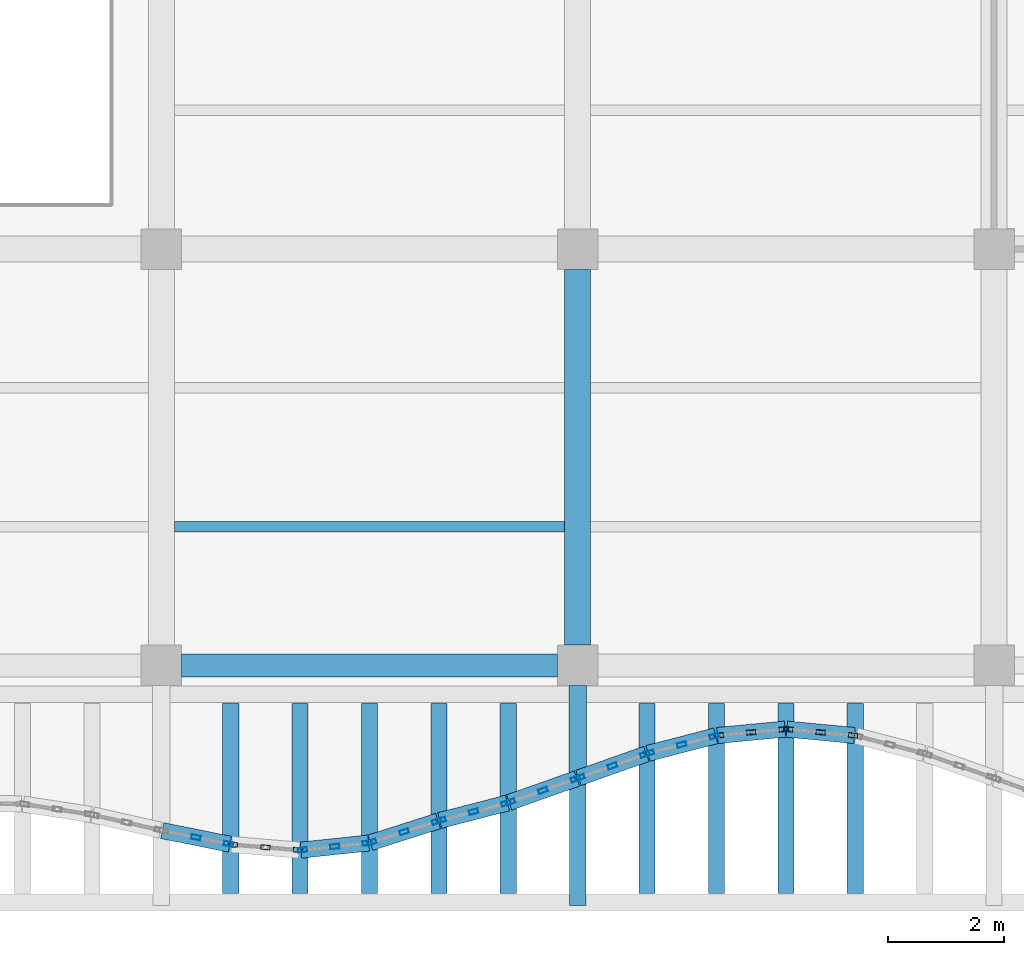
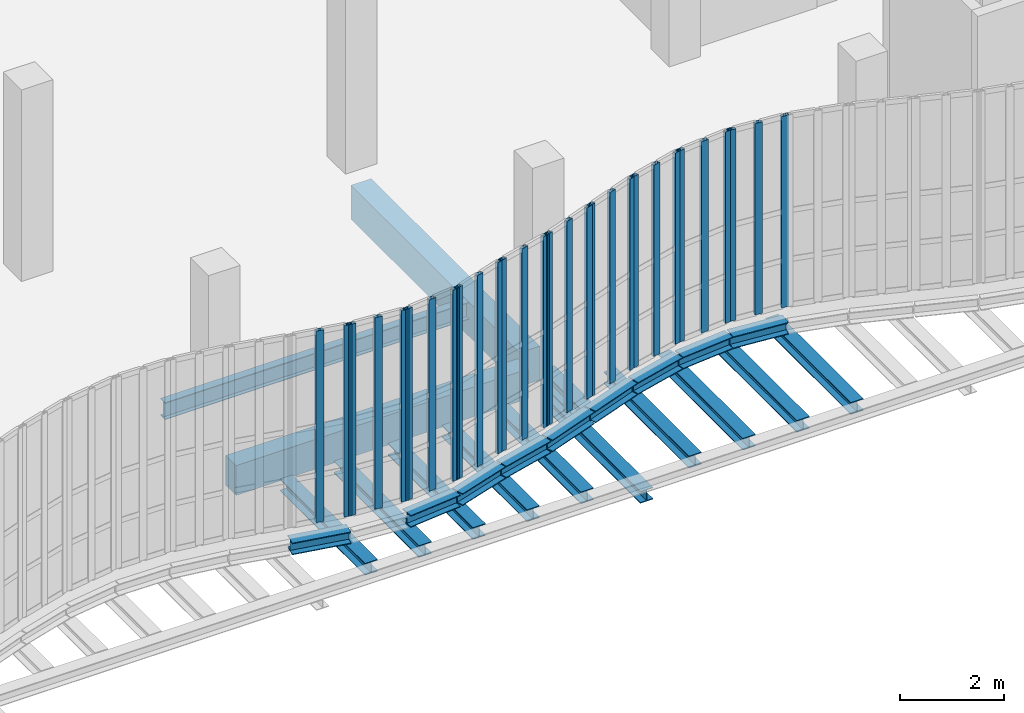
# One storey, part 33 of 108: 29 members, 23 beams, 10 elements without a shape of their own.
"""IFC4 building model written with IfcOpenShell, lengths in metres."""

from ifc_helpers import new_model, si_unit, direction, frame, origin, origin_2d, place, context, subcontext, project, spatial, rectangle, hollow_rectangle, i_section, extrude, material, layer, layer_set, material_profile, profile_set, type_object, element, aggregate, save


model = new_model("IFC4")

# Units and contexts
model_context = context("Model", 3, precision=1e-05, world=origin(), true_north=direction((0.0, 1.0)))
body_context = subcontext(model_context, "Body", "Model", "MODEL_VIEW")
ifc_project = project(units=[si_unit("LENGTHUNIT", "METRE"), si_unit("AREAUNIT", "SQUARE_METRE"), si_unit("VOLUMEUNIT", "CUBIC_METRE"), si_unit("PLANEANGLEUNIT", "RADIAN"), si_unit("MASSUNIT", "GRAM", prefix="KILO"), si_unit("THERMODYNAMICTEMPERATUREUNIT", "KELVIN"), si_unit("POWERUNIT", "WATT")], contexts=[model_context])

# Site, building, storey
site_placement = place(None, origin())
site = spatial("IfcSite", under=ifc_project, at=site_placement, CompositionType="ELEMENT")
building_placement = place(site_placement, origin())
building = spatial("IfcBuilding", under=site, at=building_placement, Name="Kaldorven Railside Theatre", CompositionType="ELEMENT")
storey_placement = place(building_placement, frame((0.0, 0.0, 5.39990234375)))
storey = spatial("IfcBuildingStorey", under=building, at=storey_placement, Name="L01", CompositionType="ELEMENT", Elevation=5.39990234375)

# Beams
ifc_material_1 = material(Name="Steel S355", Category="steel")
ifc_material_profile_1 = material_profile(ifc_material_1, i_section(OverallWidth=0.280029296875, OverallDepth=0.280029296875, WebThickness=0.010498046875, FlangeThickness=0.01806640625, at=origin_2d()), Name="HEB 280")
ifc_profile_set_1 = profile_set([ifc_material_profile_1], Name="Steel S355")
beam_type_1 = type_object("IfcBeamType", Name="BM-HEB280", PredefinedType="SPANDREL", material=ifc_profile_set_1)
beam_1_placement = place(storey_placement, frame((94.39990234375, 15.050048828125, -1.0), z_axis=(0.0, 1.0, 0.0), x_axis=(-1.0, 0.0, 0.0)))
element("IfcBeam", 1, at=beam_1_placement, inside=storey, type_object=beam_type_1, Name="L01 Sinusoidal Lower Cantilever Girder FOB-K008", PredefinedType="SPANDREL", context=body_context, shape_type="SweptSolid", body=[
    extrude(i_section(OverallWidth=0.280029296875, OverallDepth=0.280029296875, WebThickness=0.010498046875, FlangeThickness=0.01806640625, at=origin_2d()), origin(), (0.0, 0.0, 1.0), 3.800048828125),
])
beam_2_placement = place(storey_placement, frame((87.214599609375, 16.34423828125, -0.43994140625), z_axis=(0.980145886477, -0.19827768715, 0.0), x_axis=(0.19827768715, 0.980145886477, 0.0)))
element("IfcBeam", 2, at=beam_2_placement, inside=storey, type_object=beam_type_1, Name="L01 Sinusoidal Flute Edge Spandrel FSB-043", PredefinedType="SPANDREL", context=body_context, shape_type="SweptSolid", body=[
    extrude(i_section(OverallWidth=0.280029296875, OverallDepth=0.280029296875, WebThickness=0.010498046875, FlangeThickness=0.01806640625, at=origin_2d()), origin(), (0.0, 0.0, 1.0), 1.1943359375),
])
beam_3_placement = place(storey_placement, frame((88.39990234375, 15.260009765625, -0.719970703125), z_axis=(0.0, 1.0, 0.0), x_axis=(-1.0, 0.0, 0.0)))
element("IfcBeam", 3, at=beam_3_placement, inside=storey, type_object=beam_type_1, Name="L01 Sinusoidal Diaphragm Rib Outrigger FOB-M044", PredefinedType="SPANDREL", context=body_context, shape_type="SweptSolid", body=[
    extrude(i_section(OverallWidth=0.280029296875, OverallDepth=0.280029296875, WebThickness=0.010498046875, FlangeThickness=0.01806640625, at=origin_2d()), origin(), (0.0, 0.0, 1.0), 3.280029296875),
])
beam_4_placement = place(storey_placement, frame((89.614990234375, 16.005859375, -0.43994140625), z_axis=(0.994538375892, 0.104371542473, 0.0), x_axis=(-0.104371542473, 0.994538375892, 0.0)))
element("IfcBeam", 4, at=beam_4_placement, inside=storey, type_object=beam_type_1, Name="L01 Sinusoidal Flute Edge Spandrel FSB-045", PredefinedType="SPANDREL", context=body_context, shape_type="SweptSolid", body=[
    extrude(i_section(OverallWidth=0.280029296875, OverallDepth=0.280029296875, WebThickness=0.010498046875, FlangeThickness=0.01806640625, at=origin_2d()), origin(), (0.0, 0.0, 1.0), 1.176513671875),
])
beam_5_placement = place(storey_placement, frame((89.60009765625, 15.260009765625, -0.719970703125), z_axis=(0.0, 1.0, 0.0), x_axis=(-1.0, 0.0, 0.0)))
element("IfcBeam", 5, at=beam_5_placement, inside=storey, type_object=beam_type_1, Name="L01 Sinusoidal Diaphragm Rib Outrigger FOB-M045", PredefinedType="SPANDREL", context=body_context, shape_type="SweptSolid", body=[
    extrude(i_section(OverallWidth=0.280029296875, OverallDepth=0.280029296875, WebThickness=0.010498046875, FlangeThickness=0.01806640625, at=origin_2d()), origin(), (0.0, 0.0, 1.0), 3.280029296875),
])
beam_6_placement = place(storey_placement, frame((90.814208984375, 16.135009765625, -0.43994140625), z_axis=(0.952560057376, 0.304350681108, 0.0), x_axis=(-0.304350681108, 0.952560057376, 0.0)))
element("IfcBeam", 6, at=beam_6_placement, inside=storey, type_object=beam_type_1, Name="L01 Sinusoidal Flute Edge Spandrel FSB-046", PredefinedType="SPANDREL", context=body_context, shape_type="SweptSolid", body=[
    extrude(i_section(OverallWidth=0.280029296875, OverallDepth=0.280029296875, WebThickness=0.010498046875, FlangeThickness=0.01806640625, at=origin_2d()), origin(), (0.0, 0.0, 1.0), 1.229736328125),
])
beam_7_placement = place(storey_placement, frame((90.800048828125, 15.260009765625, -0.719970703125), z_axis=(0.0, 1.0, 0.0), x_axis=(-1.0, 0.0, 0.0)))
element("IfcBeam", 7, at=beam_7_placement, inside=storey, type_object=beam_type_1, Name="L01 Sinusoidal Diaphragm Rib Outrigger FOB-M046", PredefinedType="SPANDREL", context=body_context, shape_type="SweptSolid", body=[
    extrude(i_section(OverallWidth=0.280029296875, OverallDepth=0.280029296875, WebThickness=0.010498046875, FlangeThickness=0.01806640625, at=origin_2d()), origin(), (0.0, 0.0, 1.0), 3.280029296875),
])
beam_8_placement = place(storey_placement, frame((92.014404296875, 16.517578125, -0.43994140625), z_axis=(0.967980555895, 0.25102518481, 0.0), x_axis=(-0.25102518481, 0.967980555895, 0.0)))
element("IfcBeam", 8, at=beam_8_placement, inside=storey, type_object=beam_type_1, Name="L01 Sinusoidal Flute Edge Spandrel FSB-047", PredefinedType="SPANDREL", context=body_context, shape_type="SweptSolid", body=[
    extrude(i_section(OverallWidth=0.280029296875, OverallDepth=0.280029296875, WebThickness=0.010498046875, FlangeThickness=0.01806640625, at=origin_2d()), origin(), (0.0, 0.0, 1.0), 1.2099609375),
])
beam_9_placement = place(storey_placement, frame((92.0, 15.260009765625, -0.719970703125), z_axis=(0.0, 1.0, 0.0), x_axis=(-1.0, 0.0, 0.0)))
element("IfcBeam", 9, at=beam_9_placement, inside=storey, type_object=beam_type_1, Name="L01 Sinusoidal Diaphragm Rib Outrigger FOB-M047", PredefinedType="SPANDREL", context=body_context, shape_type="SweptSolid", body=[
    extrude(i_section(OverallWidth=0.280029296875, OverallDepth=0.280029296875, WebThickness=0.010498046875, FlangeThickness=0.01806640625, at=origin_2d()), origin(), (0.0, 0.0, 1.0), 3.280029296875),
])
beam_10_placement = place(storey_placement, frame((93.214111328125, 16.830078125, -0.43994140625), z_axis=(0.942627225161, 0.333847142245, 0.0), x_axis=(-0.333847142245, 0.942627225161, 0.0)))
element("IfcBeam", 10, at=beam_10_placement, inside=storey, type_object=beam_type_1, Name="L01 Sinusoidal Flute Edge Spandrel FSB-048", PredefinedType="SPANDREL", context=body_context, shape_type="SweptSolid", body=[
    extrude(i_section(OverallWidth=0.280029296875, OverallDepth=0.280029296875, WebThickness=0.010498046875, FlangeThickness=0.01806640625, at=origin_2d()), origin(), (0.0, 0.0, 1.0), 1.2431640625),
])
beam_11_placement = place(storey_placement, frame((93.199951171875, 15.260009765625, -0.719970703125), z_axis=(0.0, 1.0, 0.0), x_axis=(-1.0, 0.0, 0.0)))
element("IfcBeam", 11, at=beam_11_placement, inside=storey, type_object=beam_type_1, Name="L01 Sinusoidal Diaphragm Rib Outrigger FOB-M048", PredefinedType="SPANDREL", context=body_context, shape_type="SweptSolid", body=[
    extrude(i_section(OverallWidth=0.280029296875, OverallDepth=0.280029296875, WebThickness=0.010498046875, FlangeThickness=0.01806640625, at=origin_2d()), origin(), (0.0, 0.0, 1.0), 3.280029296875),
])
beam_12_placement = place(storey_placement, frame((94.4140625, 17.2548828125, -0.43994140625), z_axis=(0.942627225161, 0.333847142245, 0.0), x_axis=(-0.333847142245, 0.942627225161, 0.0)))
element("IfcBeam", 12, at=beam_12_placement, inside=storey, type_object=beam_type_1, Name="L01 Sinusoidal Flute Edge Spandrel FSB-049", PredefinedType="SPANDREL", context=body_context, shape_type="SweptSolid", body=[
    extrude(i_section(OverallWidth=0.280029296875, OverallDepth=0.280029296875, WebThickness=0.010498046875, FlangeThickness=0.01806640625, at=origin_2d()), origin(), (0.0, 0.0, 1.0), 1.2431640625),
])
beam_13_placement = place(storey_placement, frame((95.614501953125, 17.6787109375, -0.43994140625), z_axis=(0.967967836725, 0.251074226206, 0.0), x_axis=(-0.251074226206, 0.967967836725, 0.0)))
element("IfcBeam", 13, at=beam_13_placement, inside=storey, type_object=beam_type_1, Name="L01 Sinusoidal Flute Edge Spandrel FSB-050", PredefinedType="SPANDREL", context=body_context, shape_type="SweptSolid", body=[
    extrude(i_section(OverallWidth=0.280029296875, OverallDepth=0.280029296875, WebThickness=0.010498046875, FlangeThickness=0.01806640625, at=origin_2d()), origin(), (0.0, 0.0, 1.0), 1.209716796875),
])
beam_14_placement = place(storey_placement, frame((95.60009765625, 15.260009765625, -0.719970703125), z_axis=(0.0, 1.0, 0.0), x_axis=(-1.0, 0.0, 0.0)))
element("IfcBeam", 14, at=beam_14_placement, inside=storey, type_object=beam_type_1, Name="L01 Sinusoidal Diaphragm Rib Outrigger FOB-M050", PredefinedType="SPANDREL", context=body_context, shape_type="SweptSolid", body=[
    extrude(i_section(OverallWidth=0.280029296875, OverallDepth=0.280029296875, WebThickness=0.010498046875, FlangeThickness=0.01806640625, at=origin_2d()), origin(), (0.0, 0.0, 1.0), 3.280029296875),
])
beam_15_placement = place(storey_placement, frame((96.81494140625, 17.987548828125, -0.43994140625), z_axis=(0.99552436473, 0.094505233873, 0.0), x_axis=(-0.094505233873, 0.99552436473, 0.0)))
element("IfcBeam", 15, at=beam_15_placement, inside=storey, type_object=beam_type_1, Name="L01 Sinusoidal Flute Edge Spandrel FSB-051", PredefinedType="SPANDREL", context=body_context, shape_type="SweptSolid", body=[
    extrude(i_section(OverallWidth=0.280029296875, OverallDepth=0.280029296875, WebThickness=0.010498046875, FlangeThickness=0.01806640625, at=origin_2d()), origin(), (0.0, 0.0, 1.0), 1.175537109375),
])
beam_16_placement = place(storey_placement, frame((96.800048828125, 15.260009765625, -0.719970703125), z_axis=(0.0, 1.0, 0.0), x_axis=(-1.0, 0.0, 0.0)))
element("IfcBeam", 16, at=beam_16_placement, inside=storey, type_object=beam_type_1, Name="L01 Sinusoidal Diaphragm Rib Outrigger FOB-M051", PredefinedType="SPANDREL", context=body_context, shape_type="SweptSolid", body=[
    extrude(i_section(OverallWidth=0.280029296875, OverallDepth=0.280029296875, WebThickness=0.010498046875, FlangeThickness=0.01806640625, at=origin_2d()), origin(), (0.0, 0.0, 1.0), 3.280029296875),
])
beam_17_placement = place(storey_placement, frame((98.014892578125, 18.0986328125, -0.43994140625), z_axis=(0.99552436473, -0.094505233873, 0.0), x_axis=(0.094505233873, 0.99552436473, 0.0)))
element("IfcBeam", 17, at=beam_17_placement, inside=storey, type_object=beam_type_1, Name="L01 Sinusoidal Flute Edge Spandrel FSB-052", PredefinedType="SPANDREL", context=body_context, shape_type="SweptSolid", body=[
    extrude(i_section(OverallWidth=0.280029296875, OverallDepth=0.280029296875, WebThickness=0.010498046875, FlangeThickness=0.01806640625, at=origin_2d()), origin(), (0.0, 0.0, 1.0), 1.175537109375),
])
for number, where, z_axis, x_axis, name in (
    (18, (98.0, 15.260009765625, -0.719970703125), (0.0, 1.0, 0.0), (-1.0, 0.0, 0.0), "L01 Sinusoidal Diaphragm Rib Outrigger FOB-M052"),
    (19, (99.199951171875, 15.260009765625, -0.719970703125), (0.0, 1.0, 0.0), (-1.0, 0.0, 0.0), "L01 Sinusoidal Diaphragm Rib Outrigger FOB-M053"),
):
    element("IfcBeam", number, at=place(storey_placement, frame(where, z_axis=z_axis, x_axis=x_axis)), inside=storey, type_object=beam_type_1, Name=name, PredefinedType="SPANDREL", context=body_context, shape_type="SweptSolid", body=[
        extrude(i_section(OverallWidth=0.280029296875, OverallDepth=0.280029296875, WebThickness=0.010498046875, FlangeThickness=0.01806640625, at=origin_2d()), origin(), (0.0, 0.0, 1.0), 3.280029296875),
    ])
ifc_material_profile_2 = material_profile(ifc_material_1, i_section(OverallWidth=0.300048828125, OverallDepth=0.340087890625, WebThickness=0.011962890625, FlangeThickness=0.021484375, at=origin_2d()), Name="HEB 340")
ifc_profile_set_2 = profile_set([ifc_material_profile_2], Name="Steel S355")
beam_type_2 = type_object("IfcBeamType", Name="BM-HEB340", PredefinedType="SPANDREL", material=ifc_profile_set_2)
beam_18_placement = place(storey_placement, frame((94.39990234375, 17.31005859375, -0.469970703125), z_axis=(0.0, 1.0, 0.0), x_axis=(-1.0, 0.0, 0.0)))
element("IfcBeam", 20, at=beam_18_placement, inside=storey, type_object=beam_type_2, Name="L01 Sinusoidal Veil Outrigger FOB-1094", PredefinedType="SPANDREL", context=body_context, shape_type="SweptSolid", body=[
    extrude(i_section(OverallWidth=0.300048828125, OverallDepth=0.340087890625, WebThickness=0.011962890625, FlangeThickness=0.021484375, at=origin_2d()), origin(), (0.0, 0.0, 1.0), 1.5400390625),
])
ifc_material_profile_3 = material_profile(ifc_material_1, i_section(OverallWidth=0.179931640625, OverallDepth=0.39990234375, WebThickness=0.008544921875, FlangeThickness=0.013427734375, at=origin_2d()), Name="IPE 400")
ifc_profile_set_3 = profile_set([ifc_material_profile_3], Name="Steel S355")
beam_type_3 = type_object("IfcBeamType", Name="BM-IPE400", PredefinedType="JOIST", material=ifc_profile_set_3)
beam_19_placement = place(storey_placement, frame((87.425048828125, 21.60009765625, -0.5), z_axis=(1.0, 0.0, 0.0), x_axis=(0.0, 1.0, 0.0)))
element("IfcBeam", 21, at=beam_19_placement, inside=storey, type_object=beam_type_3, Name="L01 Secondary Floor Joist JG-L01-087-0216", PredefinedType="JOIST", context=body_context, shape_type="SweptSolid", body=[
    extrude(i_section(OverallWidth=0.179931640625, OverallDepth=0.39990234375, WebThickness=0.008544921875, FlangeThickness=0.013427734375, at=origin_2d()), origin(), (0.0, 0.0, 1.0), 6.75),
])
ifc_material_2 = material(Name="Concrete C40/50", Category="concrete")
ifc_material_profile_4 = material_profile(ifc_material_2, rectangle(XDim=0.39990234375, YDim=0.699951171875, at=origin_2d()), Name="RC 400x700")
ifc_profile_set_4 = profile_set([ifc_material_profile_4], Name="Concrete C40/50")
beam_type_4 = type_object("IfcBeamType", Name="BM-RC400x700", PredefinedType="BEAM", material=ifc_profile_set_4)
beam_20_placement = place(storey_placement, frame((87.550048828125, 19.199951171875, -0.64990234375), z_axis=(1.0, 0.0, 0.0), x_axis=(0.0, 1.0, 0.0)))
element("IfcBeam", 22, at=beam_20_placement, inside=storey, type_object=beam_type_4, Name="L01 Girder BGX-L01-087-019", PredefinedType="BEAM", context=body_context, shape_type="SweptSolid", body=[
    extrude(rectangle(XDim=0.39990234375, YDim=0.699951171875, at=origin_2d()), origin(), (0.0, 0.0, 1.0), 6.5),
])
ifc_material_profile_5 = material_profile(ifc_material_2, rectangle(XDim=0.449951171875, YDim=0.800048828125, at=origin_2d()), Name="RC 450x800")
ifc_profile_set_5 = profile_set([ifc_material_profile_5], Name="Concrete C40/50")
beam_type_5 = type_object("IfcBeamType", Name="BM-RC450x800", PredefinedType="BEAM", material=ifc_profile_set_5)
beam_21_placement = place(storey_placement, frame((94.39990234375, 19.550048828125, -0.699951171875), z_axis=(0.0, 1.0, 0.0), x_axis=(-1.0, 0.0, 0.0)))
element("IfcBeam", 23, at=beam_21_placement, inside=storey, type_object=beam_type_5, Name="L01 Girder BGY-L01-094-019-72", PredefinedType="BEAM", context=body_context, shape_type="SweptSolid", body=[
    extrude(rectangle(XDim=0.449951171875, YDim=0.800048828125, at=origin_2d()), origin(), (0.0, 0.0, 1.0), 6.5),
])

# Curtain wall, members
ifc_material_3 = material(Name="Low-E laminated solar-control glass", Category="glass")
ifc_layer_1 = layer(ifc_material_3, 0.159912109375, Name="Low-E laminated solar-control glass")
ifc_layer_set_1 = layer_set([ifc_layer_1], Name="Low-E laminated solar-control glass")
curtain_wall_type_1 = type_object("IfcCurtainWallType", Name="CWT-07", PredefinedType="USERDEFINED", material=ifc_layer_set_1)
curtain_wall_1_placement = place(storey_placement, origin())
curtain_wall_1 = element("IfcCurtainWall", 24, at=curtain_wall_1_placement, inside=storey, type_object=curtain_wall_type_1, Name="Sinusoidal Fluted Curtain Wall CW-L01-S43", ObjectType="FLUTED GLAZING", PredefinedType="USERDEFINED")
ifc_material_4 = material(Name="Anodised bronze aluminium", Category="aluminium")
ifc_material_profile_6 = material_profile(ifc_material_4, hollow_rectangle(XDim=0.080078125, YDim=0.159912109375, WallThickness=0.00634765625, at=origin_2d()), Name="RHS 160x80x6.3")
ifc_profile_set_6 = profile_set([ifc_material_profile_6], Name="Anodised bronze aluminium")
member_type = type_object("IfcMemberType", Name="CWM-160", PredefinedType="MULLION", material=ifc_profile_set_6)
member_1_placement = place(storey_placement, frame((87.800048828125, 16.225830078125, 0.0), z_axis=(0.0, 0.0, 1.0), x_axis=(0.198393134453, 0.980122525097, 0.0)))
member_1 = element("IfcMember", 25, at=member_1_placement, type_object=member_type, Name="CW-L01-S43 mullion 2", PredefinedType="MULLION", context=body_context, shape_type="SweptSolid", body=[
    extrude(hollow_rectangle(XDim=0.080078125, YDim=0.159912109375, WallThickness=0.00634765625, at=origin_2d()), origin(), (0.0, 0.0, 1.0), 4.5),
])
member_2_placement = place(storey_placement, frame((88.36083984375, 16.1123046875, 0.0), z_axis=(0.0, 0.0, 1.0), x_axis=(0.198393134453, 0.980122525097, 0.0)))
member_2 = element("IfcMember", 26, at=member_2_placement, type_object=member_type, Name="CW-L01-S43 mullion 3", PredefinedType="MULLION", context=body_context, shape_type="SweptSolid", body=[
    extrude(hollow_rectangle(XDim=0.080078125, YDim=0.159912109375, WallThickness=0.00634765625, at=origin_2d()), origin(), (0.0, 0.0, 1.0), 4.5),
])
aggregate(curtain_wall_1, [member_1, member_2])

ifc_layer_2 = layer(ifc_material_3, 0.159912109375, Name="Low-E laminated solar-control glass")
ifc_layer_set_2 = layer_set([ifc_layer_2], Name="Low-E laminated solar-control glass")
curtain_wall_type_2 = type_object("IfcCurtainWallType", Name="CWT-03", PredefinedType="USERDEFINED", material=ifc_layer_set_2)
curtain_wall_2_placement = place(storey_placement, origin())
curtain_wall_2 = element("IfcCurtainWall", 27, at=curtain_wall_2_placement, inside=storey, type_object=curtain_wall_type_2, Name="Sinusoidal Fluted Curtain Wall CW-L01-S44", ObjectType="FLUTED GLAZING", PredefinedType="USERDEFINED")
member_3_placement = place(storey_placement, frame((88.43994140625, 16.10107421875, 0.0), z_axis=(0.0, 0.0, 1.0), x_axis=(0.08321042194, 0.996531999326, 0.0)))
member_3 = element("IfcMember", 28, at=member_3_placement, type_object=member_type, Name="CW-L01-S44 mullion 1", PredefinedType="MULLION", context=body_context, shape_type="SweptSolid", body=[
    extrude(hollow_rectangle(XDim=0.080078125, YDim=0.159912109375, WallThickness=0.00634765625, at=origin_2d()), origin(), (0.0, 0.0, 1.0), 4.5),
])
member_4_placement = place(storey_placement, frame((89.0, 16.05419921875, 0.0), z_axis=(0.0, 0.0, 1.0), x_axis=(0.08321042194, 0.996531999326, 0.0)))
member_4 = element("IfcMember", 29, at=member_4_placement, type_object=member_type, Name="CW-L01-S44 mullion 2", PredefinedType="MULLION", context=body_context, shape_type="SweptSolid", body=[
    extrude(hollow_rectangle(XDim=0.080078125, YDim=0.159912109375, WallThickness=0.00634765625, at=origin_2d()), origin(), (0.0, 0.0, 1.0), 4.5),
])
member_5_placement = place(storey_placement, frame((89.56005859375, 16.007568359375, 0.0), z_axis=(0.0, 0.0, 1.0), x_axis=(0.08321042194, 0.996531999326, 0.0)))
member_5 = element("IfcMember", 30, at=member_5_placement, type_object=member_type, Name="CW-L01-S44 mullion 3", PredefinedType="MULLION", context=body_context, shape_type="SweptSolid", body=[
    extrude(hollow_rectangle(XDim=0.080078125, YDim=0.159912109375, WallThickness=0.00634765625, at=origin_2d()), origin(), (0.0, 0.0, 1.0), 4.5),
])
aggregate(curtain_wall_2, [member_3, member_4, member_5])

curtain_wall_3_placement = place(storey_placement, origin())
curtain_wall_3 = element("IfcCurtainWall", 31, at=curtain_wall_3_placement, inside=storey, type_object=curtain_wall_type_2, Name="Sinusoidal Fluted Curtain Wall CW-L01-S45", ObjectType="FLUTED GLAZING", PredefinedType="USERDEFINED")
member_6_placement = place(storey_placement, frame((89.639892578125, 16.00830078125, 0.0), z_axis=(0.0, 0.0, 1.0), x_axis=(-0.104507902898, 0.994524056135, 0.0)))
member_6 = element("IfcMember", 32, at=member_6_placement, type_object=member_type, Name="CW-L01-S45 mullion 1", PredefinedType="MULLION", context=body_context, shape_type="SweptSolid", body=[
    extrude(hollow_rectangle(XDim=0.080078125, YDim=0.159912109375, WallThickness=0.00634765625, at=origin_2d()), origin(), (0.0, 0.0, 1.0), 4.5),
])
member_7_placement = place(storey_placement, frame((90.199951171875, 16.067138671875, 0.0), z_axis=(0.0, 0.0, 1.0), x_axis=(-0.104507902898, 0.994524056135, 0.0)))
member_7 = element("IfcMember", 33, at=member_7_placement, type_object=member_type, Name="CW-L01-S45 mullion 2", PredefinedType="MULLION", context=body_context, shape_type="SweptSolid", body=[
    extrude(hollow_rectangle(XDim=0.080078125, YDim=0.159912109375, WallThickness=0.00634765625, at=origin_2d()), origin(), (0.0, 0.0, 1.0), 4.5),
])
member_8_placement = place(storey_placement, frame((90.76025390625, 16.126220703125, 0.0), z_axis=(0.0, 0.0, 1.0), x_axis=(-0.104507902898, 0.994524056135, 0.0)))
member_8 = element("IfcMember", 34, at=member_8_placement, type_object=member_type, Name="CW-L01-S45 mullion 3", PredefinedType="MULLION", context=body_context, shape_type="SweptSolid", body=[
    extrude(hollow_rectangle(XDim=0.080078125, YDim=0.159912109375, WallThickness=0.00634765625, at=origin_2d()), origin(), (0.0, 0.0, 1.0), 4.5),
])
aggregate(curtain_wall_3, [member_6, member_7, member_8])

ifc_layer_3 = layer(ifc_material_3, 0.159912109375, Name="Low-E laminated solar-control glass")
ifc_layer_set_3 = layer_set([ifc_layer_3], Name="Low-E laminated solar-control glass")
curtain_wall_type_3 = type_object("IfcCurtainWallType", Name="CWT-04", PredefinedType="USERDEFINED", material=ifc_layer_set_3)
curtain_wall_4_placement = place(storey_placement, origin())
curtain_wall_4 = element("IfcCurtainWall", 35, at=curtain_wall_4_placement, inside=storey, type_object=curtain_wall_type_3, Name="Sinusoidal Fluted Curtain Wall CW-L01-S46", ObjectType="FLUTED GLAZING", PredefinedType="USERDEFINED")
member_9_placement = place(storey_placement, frame((90.838134765625, 16.142578125, 0.0), z_axis=(0.0, 0.0, 1.0), x_axis=(-0.304487700272, 0.952516267779, 0.0)))
member_9 = element("IfcMember", 36, at=member_9_placement, type_object=member_type, Name="CW-L01-S46 mullion 1", PredefinedType="MULLION", context=body_context, shape_type="SweptSolid", body=[
    extrude(hollow_rectangle(XDim=0.080078125, YDim=0.159912109375, WallThickness=0.00634765625, at=origin_2d()), origin(), (0.0, 0.0, 1.0), 4.5),
])
member_10_placement = place(storey_placement, frame((91.39990234375, 16.322021484375, 0.0), z_axis=(0.0, 0.0, 1.0), x_axis=(-0.304487700272, 0.952516267779, 0.0)))
member_10 = element("IfcMember", 37, at=member_10_placement, type_object=member_type, Name="CW-L01-S46 mullion 2", PredefinedType="MULLION", context=body_context, shape_type="SweptSolid", body=[
    extrude(hollow_rectangle(XDim=0.080078125, YDim=0.159912109375, WallThickness=0.00634765625, at=origin_2d()), origin(), (0.0, 0.0, 1.0), 4.5),
])
member_11_placement = place(storey_placement, frame((91.9619140625, 16.501708984375, 0.0), z_axis=(0.0, 0.0, 1.0), x_axis=(-0.304487700272, 0.952516267779, 0.0)))
member_11 = element("IfcMember", 38, at=member_11_placement, type_object=member_type, Name="CW-L01-S46 mullion 3", PredefinedType="MULLION", context=body_context, shape_type="SweptSolid", body=[
    extrude(hollow_rectangle(XDim=0.080078125, YDim=0.159912109375, WallThickness=0.00634765625, at=origin_2d()), origin(), (0.0, 0.0, 1.0), 4.5),
])
aggregate(curtain_wall_4, [member_9, member_10, member_11])

ifc_layer_4 = layer(ifc_material_3, 0.159912109375, Name="Low-E laminated solar-control glass")
ifc_layer_set_4 = layer_set([ifc_layer_4], Name="Low-E laminated solar-control glass")
curtain_wall_type_4 = type_object("IfcCurtainWallType", Name="CWT-02", PredefinedType="USERDEFINED", material=ifc_layer_set_4)
curtain_wall_5_placement = place(storey_placement, origin())
curtain_wall_5 = element("IfcCurtainWall", 39, at=curtain_wall_5_placement, inside=storey, type_object=curtain_wall_type_4, Name="Sinusoidal Fluted Curtain Wall CW-L01-S47", ObjectType="FLUTED GLAZING", PredefinedType="USERDEFINED")
member_12_placement = place(storey_placement, frame((92.038818359375, 16.52392578125, 0.0), z_axis=(0.0, 0.0, 1.0), x_axis=(-0.250953760326, 0.967999075505, 0.0)))
member_12 = element("IfcMember", 40, at=member_12_placement, type_object=member_type, Name="CW-L01-S47 mullion 1", PredefinedType="MULLION", context=body_context, shape_type="SweptSolid", body=[
    extrude(hollow_rectangle(XDim=0.080078125, YDim=0.159912109375, WallThickness=0.00634765625, at=origin_2d()), origin(), (0.0, 0.0, 1.0), 4.5),
])
member_13_placement = place(storey_placement, frame((92.60009765625, 16.66943359375, 0.0), z_axis=(0.0, 0.0, 1.0), x_axis=(-0.250953760326, 0.967999075505, 0.0)))
member_13 = element("IfcMember", 41, at=member_13_placement, type_object=member_type, Name="CW-L01-S47 mullion 2", PredefinedType="MULLION", context=body_context, shape_type="SweptSolid", body=[
    extrude(hollow_rectangle(XDim=0.080078125, YDim=0.159912109375, WallThickness=0.00634765625, at=origin_2d()), origin(), (0.0, 0.0, 1.0), 4.5),
])
member_14_placement = place(storey_placement, frame((93.161376953125, 16.81494140625, 0.0), z_axis=(0.0, 0.0, 1.0), x_axis=(-0.250953760326, 0.967999075505, 0.0)))
member_14 = element("IfcMember", 42, at=member_14_placement, type_object=member_type, Name="CW-L01-S47 mullion 3", PredefinedType="MULLION", context=body_context, shape_type="SweptSolid", body=[
    extrude(hollow_rectangle(XDim=0.080078125, YDim=0.159912109375, WallThickness=0.00634765625, at=origin_2d()), origin(), (0.0, 0.0, 1.0), 4.5),
])
aggregate(curtain_wall_5, [member_12, member_13, member_14])

ifc_layer_5 = layer(ifc_material_3, 0.159912109375, Name="Low-E laminated solar-control glass")
ifc_layer_set_5 = layer_set([ifc_layer_5], Name="Low-E laminated solar-control glass")
curtain_wall_type_5 = type_object("IfcCurtainWallType", Name="CWT-01", PredefinedType="USERDEFINED", material=ifc_layer_set_5)
curtain_wall_6_placement = place(storey_placement, origin())
curtain_wall_6 = element("IfcCurtainWall", 43, at=curtain_wall_6_placement, inside=storey, type_object=curtain_wall_type_5, Name="Sinusoidal Fluted Curtain Wall CW-L01-S48", ObjectType="FLUTED GLAZING", PredefinedType="USERDEFINED")
member_15_placement = place(storey_placement, frame((93.23779296875, 16.83837890625, 0.0), z_axis=(0.0, 0.0, 1.0), x_axis=(-0.33384714225, 0.942627225159, 0.0)))
member_15 = element("IfcMember", 44, at=member_15_placement, type_object=member_type, Name="CW-L01-S48 mullion 1", PredefinedType="MULLION", context=body_context, shape_type="SweptSolid", body=[
    extrude(hollow_rectangle(XDim=0.080078125, YDim=0.159912109375, WallThickness=0.00634765625, at=origin_2d()), origin(), (0.0, 0.0, 1.0), 4.5),
])
member_16_placement = place(storey_placement, frame((93.800048828125, 17.03759765625, 0.0), z_axis=(0.0, 0.0, 1.0), x_axis=(-0.33384714225, 0.942627225159, 0.0)))
member_16 = element("IfcMember", 45, at=member_16_placement, type_object=member_type, Name="CW-L01-S48 mullion 2", PredefinedType="MULLION", context=body_context, shape_type="SweptSolid", body=[
    extrude(hollow_rectangle(XDim=0.080078125, YDim=0.159912109375, WallThickness=0.00634765625, at=origin_2d()), origin(), (0.0, 0.0, 1.0), 4.5),
])
member_17_placement = place(storey_placement, frame((94.3623046875, 17.236572265625, 0.0), z_axis=(0.0, 0.0, 1.0), x_axis=(-0.33384714225, 0.942627225159, 0.0)))
member_17 = element("IfcMember", 46, at=member_17_placement, type_object=member_type, Name="CW-L01-S48 mullion 3", PredefinedType="MULLION", context=body_context, shape_type="SweptSolid", body=[
    extrude(hollow_rectangle(XDim=0.080078125, YDim=0.159912109375, WallThickness=0.00634765625, at=origin_2d()), origin(), (0.0, 0.0, 1.0), 4.5),
])
aggregate(curtain_wall_6, [member_15, member_16, member_17])

curtain_wall_7_placement = place(storey_placement, origin())
curtain_wall_7 = element("IfcCurtainWall", 47, at=curtain_wall_7_placement, inside=storey, type_object=curtain_wall_type_5, Name="Sinusoidal Fluted Curtain Wall CW-L01-S49", ObjectType="FLUTED GLAZING", PredefinedType="USERDEFINED")
member_18_placement = place(storey_placement, frame((94.437744140625, 17.263427734375, 0.0), z_axis=(0.0, 0.0, 1.0), x_axis=(-0.33384714225, 0.942627225159, 0.0)))
member_18 = element("IfcMember", 48, at=member_18_placement, type_object=member_type, Name="CW-L01-S49 mullion 1", PredefinedType="MULLION", context=body_context, shape_type="SweptSolid", body=[
    extrude(hollow_rectangle(XDim=0.080078125, YDim=0.159912109375, WallThickness=0.00634765625, at=origin_2d()), origin(), (0.0, 0.0, 1.0), 4.5),
])
member_19_placement = place(storey_placement, frame((95.0, 17.46240234375, 0.0), z_axis=(0.0, 0.0, 1.0), x_axis=(-0.33384714225, 0.942627225159, 0.0)))
member_19 = element("IfcMember", 49, at=member_19_placement, type_object=member_type, Name="CW-L01-S49 mullion 2", PredefinedType="MULLION", context=body_context, shape_type="SweptSolid", body=[
    extrude(hollow_rectangle(XDim=0.080078125, YDim=0.159912109375, WallThickness=0.00634765625, at=origin_2d()), origin(), (0.0, 0.0, 1.0), 4.5),
])
member_20_placement = place(storey_placement, frame((95.562255859375, 17.66162109375, 0.0), z_axis=(0.0, 0.0, 1.0), x_axis=(-0.33384714225, 0.942627225159, 0.0)))
member_20 = element("IfcMember", 50, at=member_20_placement, type_object=member_type, Name="CW-L01-S49 mullion 3", PredefinedType="MULLION", context=body_context, shape_type="SweptSolid", body=[
    extrude(hollow_rectangle(XDim=0.080078125, YDim=0.159912109375, WallThickness=0.00634765625, at=origin_2d()), origin(), (0.0, 0.0, 1.0), 4.5),
])
aggregate(curtain_wall_7, [member_18, member_19, member_20])

curtain_wall_8_placement = place(storey_placement, origin())
curtain_wall_8 = element("IfcCurtainWall", 51, at=curtain_wall_8_placement, inside=storey, type_object=curtain_wall_type_4, Name="Sinusoidal Fluted Curtain Wall CW-L01-S50", ObjectType="FLUTED GLAZING", PredefinedType="USERDEFINED")
member_21_placement = place(storey_placement, frame((95.638671875, 17.68505859375, 0.0), z_axis=(0.0, 0.0, 1.0), x_axis=(-0.250953760326, 0.967999075505, 0.0)))
member_21 = element("IfcMember", 52, at=member_21_placement, type_object=member_type, Name="CW-L01-S50 mullion 1", PredefinedType="MULLION", context=body_context, shape_type="SweptSolid", body=[
    extrude(hollow_rectangle(XDim=0.080078125, YDim=0.159912109375, WallThickness=0.00634765625, at=origin_2d()), origin(), (0.0, 0.0, 1.0), 4.5),
])
member_22_placement = place(storey_placement, frame((96.199951171875, 17.83056640625, 0.0), z_axis=(0.0, 0.0, 1.0), x_axis=(-0.250953760326, 0.967999075505, 0.0)))
member_22 = element("IfcMember", 53, at=member_22_placement, type_object=member_type, Name="CW-L01-S50 mullion 2", PredefinedType="MULLION", context=body_context, shape_type="SweptSolid", body=[
    extrude(hollow_rectangle(XDim=0.080078125, YDim=0.159912109375, WallThickness=0.00634765625, at=origin_2d()), origin(), (0.0, 0.0, 1.0), 4.5),
])
member_23_placement = place(storey_placement, frame((96.76123046875, 17.97607421875, 0.0), z_axis=(0.0, 0.0, 1.0), x_axis=(-0.250953760326, 0.967999075505, 0.0)))
member_23 = element("IfcMember", 54, at=member_23_placement, type_object=member_type, Name="CW-L01-S50 mullion 3", PredefinedType="MULLION", context=body_context, shape_type="SweptSolid", body=[
    extrude(hollow_rectangle(XDim=0.080078125, YDim=0.159912109375, WallThickness=0.00634765625, at=origin_2d()), origin(), (0.0, 0.0, 1.0), 4.5),
])
aggregate(curtain_wall_8, [member_21, member_22, member_23])

curtain_wall_9_placement = place(storey_placement, origin())
curtain_wall_9 = element("IfcCurtainWall", 55, at=curtain_wall_9_placement, inside=storey, type_object=curtain_wall_type_2, Name="Sinusoidal Fluted Curtain Wall CW-L01-S51", ObjectType="FLUTED GLAZING", PredefinedType="USERDEFINED")
member_24_placement = place(storey_placement, frame((96.83984375, 17.989990234375, 0.0), z_axis=(0.0, 0.0, 1.0), x_axis=(-0.094491973758, 0.995525623425, 0.0)))
member_24 = element("IfcMember", 56, at=member_24_placement, type_object=member_type, Name="CW-L01-S51 mullion 1", PredefinedType="MULLION", context=body_context, shape_type="SweptSolid", body=[
    extrude(hollow_rectangle(XDim=0.080078125, YDim=0.159912109375, WallThickness=0.00634765625, at=origin_2d()), origin(), (0.0, 0.0, 1.0), 4.5),
])
member_25_placement = place(storey_placement, frame((97.39990234375, 18.04296875, 0.0), z_axis=(0.0, 0.0, 1.0), x_axis=(-0.094491973758, 0.995525623425, 0.0)))
member_25 = element("IfcMember", 57, at=member_25_placement, type_object=member_type, Name="CW-L01-S51 mullion 2", PredefinedType="MULLION", context=body_context, shape_type="SweptSolid", body=[
    extrude(hollow_rectangle(XDim=0.080078125, YDim=0.159912109375, WallThickness=0.00634765625, at=origin_2d()), origin(), (0.0, 0.0, 1.0), 4.5),
])
member_26_placement = place(storey_placement, frame((97.960205078125, 18.09619140625, 0.0), z_axis=(0.0, 0.0, 1.0), x_axis=(-0.094491973758, 0.995525623425, 0.0)))
member_26 = element("IfcMember", 58, at=member_26_placement, type_object=member_type, Name="CW-L01-S51 mullion 3", PredefinedType="MULLION", context=body_context, shape_type="SweptSolid", body=[
    extrude(hollow_rectangle(XDim=0.080078125, YDim=0.159912109375, WallThickness=0.00634765625, at=origin_2d()), origin(), (0.0, 0.0, 1.0), 4.5),
])
aggregate(curtain_wall_9, [member_24, member_25, member_26])

curtain_wall_10_placement = place(storey_placement, origin())
curtain_wall_10 = element("IfcCurtainWall", 59, at=curtain_wall_10_placement, inside=storey, type_object=curtain_wall_type_2, Name="Sinusoidal Fluted Curtain Wall CW-L01-S52", ObjectType="FLUTED GLAZING", PredefinedType="USERDEFINED")
member_27_placement = place(storey_placement, frame((98.039794921875, 18.09619140625, 0.0), z_axis=(0.0, 0.0, 1.0), x_axis=(0.094491973758, 0.995525623425, 0.0)))
member_27 = element("IfcMember", 60, at=member_27_placement, type_object=member_type, Name="CW-L01-S52 mullion 1", PredefinedType="MULLION", context=body_context, shape_type="SweptSolid", body=[
    extrude(hollow_rectangle(XDim=0.080078125, YDim=0.159912109375, WallThickness=0.00634765625, at=origin_2d()), origin(), (0.0, 0.0, 1.0), 4.5),
])
member_28_placement = place(storey_placement, frame((98.60009765625, 18.04296875, 0.0), z_axis=(0.0, 0.0, 1.0), x_axis=(0.094491973758, 0.995525623425, 0.0)))
member_28 = element("IfcMember", 61, at=member_28_placement, type_object=member_type, Name="CW-L01-S52 mullion 2", PredefinedType="MULLION", context=body_context, shape_type="SweptSolid", body=[
    extrude(hollow_rectangle(XDim=0.080078125, YDim=0.159912109375, WallThickness=0.00634765625, at=origin_2d()), origin(), (0.0, 0.0, 1.0), 4.5),
])
member_29_placement = place(storey_placement, frame((99.16015625, 17.989990234375, 0.0), z_axis=(0.0, 0.0, 1.0), x_axis=(0.094491973758, 0.995525623425, 0.0)))
member_29 = element("IfcMember", 62, at=member_29_placement, type_object=member_type, Name="CW-L01-S52 mullion 3", PredefinedType="MULLION", context=body_context, shape_type="SweptSolid", body=[
    extrude(hollow_rectangle(XDim=0.080078125, YDim=0.159912109375, WallThickness=0.00634765625, at=origin_2d()), origin(), (0.0, 0.0, 1.0), 4.5),
])
aggregate(curtain_wall_10, [member_27, member_28, member_29])

save(model, "model.ifc")
